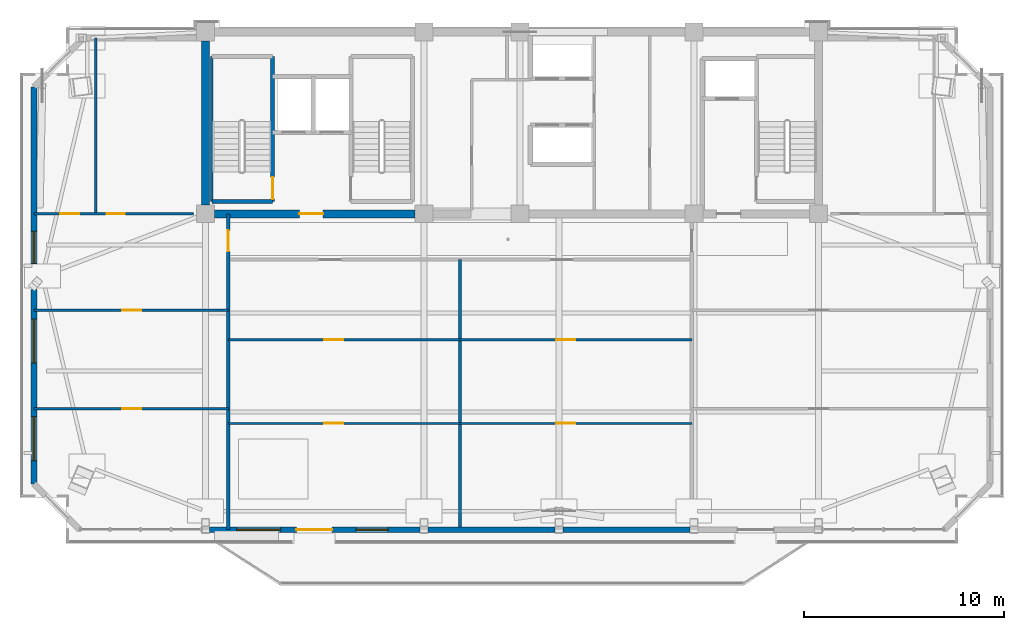
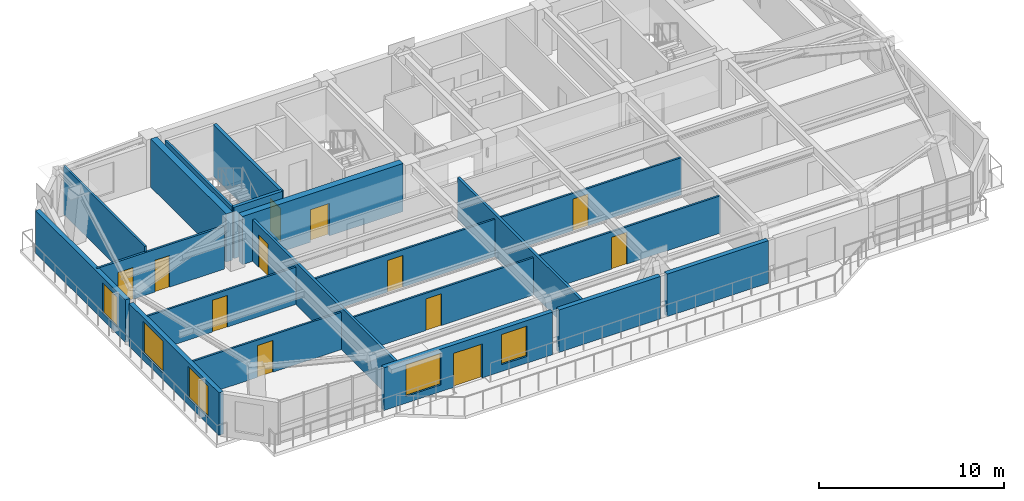
# One storey, part 6 of 13: 20 walls, 12 doors, 5 windows, 17 openings.
"""IFC4 building model written with IfcOpenShell, lengths in metres."""

from ifc_helpers import new_model, si_unit, direction, frame, frame_2d, origin, place, context, subcontext, project, spatial, rectangle, extrude, source, transform, mapped, material, layer, layer_set, type_object, element, fill, save


model = new_model("IFC4")

# Units and contexts
model_context = context("Model", 3, precision=1e-05, world=origin(), true_north=direction((0.0, 1.0)))
body_context = subcontext(model_context, "Body", "Model", "MODEL_VIEW")
ifc_project = project(units=[si_unit("LENGTHUNIT", "METRE"), si_unit("AREAUNIT", "SQUARE_METRE"), si_unit("VOLUMEUNIT", "CUBIC_METRE"), si_unit("PLANEANGLEUNIT", "RADIAN"), si_unit("MASSUNIT", "GRAM", prefix="KILO")], contexts=[model_context])

# Site, building, storey
site_placement = place(None, origin())
site = spatial("IfcSite", under=ifc_project, at=site_placement, CompositionType="ELEMENT")
building_placement = place(site_placement, origin())
building = spatial("IfcBuilding", under=site, at=building_placement, Name="Giltprow Tower", CompositionType="ELEMENT")
storey_placement = place(building_placement, frame((0.0, 0.0, 332.300048828125)))
storey = spatial("IfcBuildingStorey", under=building, at=storey_placement, Name="L86", CompositionType="ELEMENT", Elevation=332.300048828125)

# Wall, openings, windows, door
ifc_material_1 = material(Name="Precast concrete C40", Category="concrete")
ifc_layer_1 = layer(ifc_material_1, 0.280029296875, Name="Precast concrete C40")
ifc_layer_set_1 = layer_set([ifc_layer_1], Name="Precast concrete C40")
wall_type_1 = type_object("IfcWallType", Name="EW-TOW-BRONZE-280", PredefinedType="SOLIDWALL", material=ifc_layer_set_1)
wall_1_placement = place(storey_placement, frame((20.050048828125, 21.635986328125, 0.0), z_axis=(0.0, 0.0, 1.0), x_axis=(1.0, 0.0, 0.0)))
wall_1 = element("IfcWall", 1, at=wall_1_placement, inside=storey, type_object=wall_type_1, Name="L86 South Expressed Frame Wall 2", PredefinedType="SOLIDWALL", context=body_context, shape_type="SweptSolid", body=[
    extrude(rectangle(XDim=10.550048828125, YDim=0.280029296875, at=frame_2d((5.27490234375, 0.0))), origin(), (0.0, 0.0, 1.0), 2.81494140625),
])
opening_1_placement = place(wall_1_placement, frame((4.35009765625, 0.0, 0.0)))
opening_1 = element("IfcOpeningElement", 2, at=opening_1_placement, cuts=wall_1, Name="Opening ED25", PredefinedType="OPENING", context=body_context, shape_type="SweptSolid", body=[
    extrude(rectangle(XDim=1.800048828125, YDim=2.25, at=frame_2d((0.89990234375, 1.125))), frame((0.0, 0.14990234375, 0.0), z_axis=(0.0, -1.0, 0.0), x_axis=(1.0, 0.0, 0.0)), (0.0, 0.0, 1.0), 0.300048828125),
])
opening_2_placement = place(wall_1_placement, frame((1.3701171875, 0.0, 0.449951171875)))
opening_2 = element("IfcOpeningElement", 3, at=opening_2_placement, cuts=wall_1, Name="Opening WN27", PredefinedType="OPENING", context=body_context, shape_type="SweptSolid", body=[
    extrude(rectangle(XDim=2.199951171875, YDim=2.10009765625, at=frame_2d((1.10009765625, 1.050048828125))), frame((0.0, 0.14990234375, 0.0), z_axis=(0.0, -1.0, 0.0), x_axis=(1.0, 0.0, 0.0)), (0.0, 0.0, 1.0), 0.300048828125),
])
opening_3_placement = place(wall_1_placement, frame((7.35009765625, 0.0, 0.449951171875)))
opening_3 = element("IfcOpeningElement", 4, at=opening_3_placement, cuts=wall_1, Name="Opening WN17", PredefinedType="OPENING", context=body_context, shape_type="SweptSolid", body=[
    extrude(rectangle(XDim=1.60009765625, YDim=2.0, at=frame_2d((0.800048828125, 1.0))), frame((0.0, 0.14990234375, 0.0), z_axis=(0.0, -1.0, 0.0), x_axis=(1.0, 0.0, 0.0)), (0.0, 0.0, 1.0), 0.300048828125),
])
ifc_material_2 = material(Name="Insulated glass", Category="glass")
window_type_1 = type_object("IfcWindowType", Name="WN-COR-1600x2000", PartitioningType="SINGLE_PANEL", PredefinedType="WINDOW", material=ifc_material_2)
shared_shape_1 = source(origin(), body_context, "Body", "SweptSolid", [
    extrude(rectangle(XDim=1.60009765625, YDim=2.0, at=frame_2d((0.800048828125, 1.0))), frame((0.0, 0.030029296875, 0.0), z_axis=(0.0, -1.0, 0.0), x_axis=(1.0, 0.0, 0.0)), (0.0, 0.0, 1.0), 0.06005859375),
])
window_1_placement = place(opening_3_placement, origin())
window_1 = element("IfcWindow", 5, at=window_1_placement, inside=storey, type_object=window_type_1, Name="L86 South Window 2B", OverallHeight=2.0, OverallWidth=1.60009765625, PartitioningType="SINGLE_PANEL", PredefinedType="WINDOW", context=body_context, shape_type="MappedRepresentation", body=[
    mapped(shared_shape_1, transform((0.0, 0.0, 0.0), x_axis=(1.0, 0.0, 0.0), y_axis=(0.0, 1.0, 0.0), z_axis=(0.0, 0.0, 1.0), scale=1.0)),
])
fill(opening_3, window_1)
ifc_material_3 = material(Name="Anodized bronze and glass", Category="glass")
door_type_1 = type_object("IfcDoorType", Name="DR-BALC-SLIDE-1800", OperationType="SLIDING_TO_LEFT", PredefinedType="DOOR", material=ifc_material_3)
shared_shape_2 = source(origin(), body_context, "Body", "SweptSolid", [
    extrude(rectangle(XDim=1.800048828125, YDim=2.25, at=frame_2d((0.89990234375, 1.125))), frame((0.0, 0.02490234375, 0.0), z_axis=(0.0, -1.0, 0.0), x_axis=(1.0, 0.0, 0.0)), (0.0, 0.0, 1.0), 0.050048828125),
])
door_1_placement = place(opening_1_placement, origin())
door_1 = element("IfcDoor", 6, at=door_1_placement, inside=storey, type_object=door_type_1, Name="L86 Waterfront Balcony Sliding Door 1", OperationType="SLIDING_TO_LEFT", OverallHeight=2.25, OverallWidth=1.800048828125, PredefinedType="DOOR", context=body_context, shape_type="MappedRepresentation", body=[
    mapped(shared_shape_2, transform((0.0, 0.0, 0.0), x_axis=(1.0, 0.0, 0.0), y_axis=(0.0, 1.0, 0.0), z_axis=(0.0, 0.0, 1.0), scale=1.0)),
])
fill(opening_1, door_1)
window_type_2 = type_object("IfcWindowType", Name="WN-RES-2200x2100", PartitioningType="TRIPLE_PANEL_VERTICAL", PredefinedType="WINDOW", material=ifc_material_2)
shared_shape_3 = source(origin(), body_context, "Body", "SweptSolid", [
    extrude(rectangle(XDim=2.199951171875, YDim=2.10009765625, at=frame_2d((1.10009765625, 1.050048828125))), frame((0.0, 0.030029296875, 0.0), z_axis=(0.0, -1.0, 0.0), x_axis=(1.0, 0.0, 0.0)), (0.0, 0.0, 1.0), 0.06005859375),
])
window_2_placement = place(opening_2_placement, origin())
window_2 = element("IfcWindow", 7, at=window_2_placement, inside=storey, type_object=window_type_2, Name="L86 South Window 2A", OverallHeight=2.10009765625, OverallWidth=2.199951171875, PartitioningType="SINGLE_PANEL", PredefinedType="WINDOW", context=body_context, shape_type="MappedRepresentation", body=[
    mapped(shared_shape_3, transform((0.0, 0.0, 0.0), x_axis=(1.0, 0.0, 0.0), y_axis=(0.0, 1.0, 0.0), z_axis=(0.0, 0.0, 1.0), scale=1.0)),
])
fill(opening_2, window_2)

# Walls
for number, where, z_axis, x_axis, name in (
    (8, (31.0, 21.635986328125, 0.0), (0.0, 0.0, 1.0), (1.0, 0.0, 0.0), "L86 South Expressed Frame Wall 3"),
    (9, (37.75, 21.635986328125, 0.0), (0.0, 0.0, 1.0), (1.0, 0.0, 0.0), "L86 South Expressed Frame Wall 4"),
):
    element("IfcWall", number, at=place(storey_placement, frame(where, z_axis=z_axis, x_axis=x_axis)), inside=storey, type_object=wall_type_1, Name=name, PredefinedType="SOLIDWALL", context=body_context, shape_type="SweptSolid", body=[
        extrude(rectangle(XDim=6.35009765625, YDim=0.280029296875, at=frame_2d((3.175048828125, 0.0))), origin(), (0.0, 0.0, 1.0), 2.81494140625),
    ])

# Wall, openings, windows
wall_2_placement = place(storey_placement, frame((11.27001953125, 23.927978515625, 0.0), z_axis=(0.0, 0.0, 1.0), x_axis=(0.0, 1.0, 0.0)))
wall_2 = element("IfcWall", 10, at=wall_2_placement, inside=storey, type_object=wall_type_1, Name="L86 W Wing Masonry Wall 1", PredefinedType="SOLIDWALL", context=body_context, shape_type="SweptSolid", body=[
    extrude(rectangle(XDim=9.739990234375, YDim=0.280029296875, at=frame_2d((4.8701171875, 0.0))), origin(), (0.0, 0.0, 1.0), 2.81494140625),
])
opening_4_placement = place(wall_2_placement, frame((1.1640625, 0.0, 0.449951171875)))
opening_4 = element("IfcOpeningElement", 11, at=opening_4_placement, cuts=wall_2, Name="Opening WN27", PredefinedType="OPENING", context=body_context, shape_type="SweptSolid", body=[
    extrude(rectangle(XDim=2.199951171875, YDim=2.10009765625, at=frame_2d((1.10009765625, 1.050048828125))), frame((0.0, 0.14990234375, 0.0), z_axis=(0.0, -1.0, 0.0), x_axis=(1.0, 0.0, 0.0)), (0.0, 0.0, 1.0), 0.300048828125),
])
opening_5_placement = place(wall_2_placement, frame((6.0419921875, 0.0, 0.449951171875)))
opening_5 = element("IfcOpeningElement", 12, at=opening_5_placement, cuts=wall_2, Name="Opening WN27", PredefinedType="OPENING", context=body_context, shape_type="SweptSolid", body=[
    extrude(rectangle(XDim=2.199951171875, YDim=2.10009765625, at=frame_2d((1.10009765625, 1.050048828125))), frame((0.0, 0.14990234375, 0.0), z_axis=(0.0, -1.0, 0.0), x_axis=(1.0, 0.0, 0.0)), (0.0, 0.0, 1.0), 0.300048828125),
])
window_3_placement = place(opening_4_placement, origin())
window_3 = element("IfcWindow", 13, at=window_3_placement, inside=storey, type_object=window_type_2, Name="L86 W Wing Window 1-1A", OverallHeight=2.10009765625, OverallWidth=2.199951171875, PartitioningType="SINGLE_PANEL", PredefinedType="WINDOW", context=body_context, shape_type="MappedRepresentation", body=[
    mapped(shared_shape_3, transform((0.0, 0.0, 0.0), x_axis=(1.0, 0.0, 0.0), y_axis=(0.0, 1.0, 0.0), z_axis=(0.0, 0.0, 1.0), scale=1.0)),
])
fill(opening_4, window_3)
window_4_placement = place(opening_5_placement, origin())
window_4 = element("IfcWindow", 14, at=window_4_placement, inside=storey, type_object=window_type_2, Name="L86 W Wing Window 1-1B", OverallHeight=2.10009765625, OverallWidth=2.199951171875, PartitioningType="SINGLE_PANEL", PredefinedType="WINDOW", context=body_context, shape_type="MappedRepresentation", body=[
    mapped(shared_shape_3, transform((0.0, 0.0, 0.0), x_axis=(1.0, 0.0, 0.0), y_axis=(0.0, 1.0, 0.0), z_axis=(0.0, 0.0, 1.0), scale=1.0)),
])
fill(opening_5, window_4)

# Wall, opening, window
wall_3_placement = place(storey_placement, frame((11.27001953125, 34.068115234375, 0.0), z_axis=(0.0, 0.0, 1.0), x_axis=(0.0, 1.0, 0.0)))
wall_3 = element("IfcWall", 15, at=wall_3_placement, inside=storey, type_object=wall_type_1, Name="L86 W Wing Masonry Wall 2", PredefinedType="SOLIDWALL", context=body_context, shape_type="SweptSolid", body=[
    extrude(rectangle(XDim=9.739990234375, YDim=0.280029296875, at=frame_2d((4.8701171875, 0.0))), origin(), (0.0, 0.0, 1.0), 2.81494140625),
])
opening_6_placement = place(wall_3_placement, frame((0.89599609375, 0.0, 0.449951171875)))
opening_6 = element("IfcOpeningElement", 16, at=opening_6_placement, cuts=wall_3, Name="Opening WN17", PredefinedType="OPENING", context=body_context, shape_type="SweptSolid", body=[
    extrude(rectangle(XDim=1.60009765625, YDim=2.0, at=frame_2d((0.800048828125, 1.0))), frame((0.0, 0.14990234375, 0.0), z_axis=(0.0, -1.0, 0.0), x_axis=(1.0, 0.0, 0.0)), (0.0, 0.0, 1.0), 0.300048828125),
])
window_5_placement = place(opening_6_placement, origin())
window_5 = element("IfcWindow", 17, at=window_5_placement, inside=storey, type_object=window_type_1, Name="L86 W Wing Window 2-1", OverallHeight=2.0, OverallWidth=1.60009765625, PartitioningType="SINGLE_PANEL", PredefinedType="WINDOW", context=body_context, shape_type="MappedRepresentation", body=[
    mapped(shared_shape_1, transform((0.0, 0.0, 0.0), x_axis=(1.0, 0.0, 0.0), y_axis=(0.0, 1.0, 0.0), z_axis=(0.0, 0.0, 1.0), scale=1.0)),
])
fill(opening_6, window_5)

# Wall, opening, door
ifc_material_4 = material(Name="Gypsum stud partition", Category="gypsum")
ifc_layer_2 = layer(ifc_material_4, 0.159912109375, Name="Gypsum stud partition")
ifc_layer_set_2 = layer_set([ifc_layer_2], Name="Gypsum stud partition")
wall_type_2 = type_object("IfcWallType", Name="IW-DEMISE-160", PredefinedType="PARTITIONING", material=ifc_layer_set_2)
wall_4_placement = place(storey_placement, frame((21.0, 21.635986328125, 0.0), z_axis=(0.0, 0.0, 1.0), x_axis=(0.0, 1.0, 0.0)))
wall_4 = element("IfcWall", 18, at=wall_4_placement, inside=storey, type_object=wall_type_2, Name="L86 Apartment Party Wall 1", PredefinedType="PARTITIONING", context=body_context, shape_type="SweptSolid", body=[
    extrude(rectangle(XDim=15.81396484375, YDim=0.159912109375, at=frame_2d((7.906982421875, 0.0))), origin(), (0.0, 0.0, 1.0), 2.77001953125),
])
opening_7_placement = place(wall_4_placement, frame((13.93408203125, 0.0, 0.0)))
opening_7 = element("IfcOpeningElement", 19, at=opening_7_placement, cuts=wall_4, Name="Opening ID31", PredefinedType="OPENING", context=body_context, shape_type="SweptSolid", body=[
    extrude(rectangle(XDim=1.050048828125, YDim=2.14990234375, at=frame_2d((0.52490234375, 1.074951171875))), frame((0.0, 0.08984375, 0.0), z_axis=(0.0, -1.0, 0.0), x_axis=(1.0, 0.0, 0.0)), (0.0, 0.0, 1.0), 0.179931640625),
])
ifc_material_5 = material(Name="Engineered timber", Category="wood")
door_type_2 = type_object("IfcDoorType", Name="DR-SUITE-1050", OperationType="SINGLE_SWING_LEFT", PredefinedType="DOOR", material=ifc_material_5)
shared_shape_4 = source(origin(), body_context, "Body", "SweptSolid", [
    extrude(rectangle(XDim=1.050048828125, YDim=2.14990234375, at=frame_2d((0.52490234375, 1.074951171875))), frame((0.0, 0.02490234375, 0.0), z_axis=(0.0, -1.0, 0.0), x_axis=(1.0, 0.0, 0.0)), (0.0, 0.0, 1.0), 0.050048828125),
])
door_2_placement = place(opening_7_placement, origin())
door_2 = element("IfcDoor", 20, at=door_2_placement, inside=storey, type_object=door_type_2, Name="L86 Sky Concierge Reception 1 Corridor End Door", OperationType="SINGLE_SWING_LEFT", OverallHeight=2.14990234375, OverallWidth=1.050048828125, PredefinedType="DOOR", context=body_context, shape_type="MappedRepresentation", body=[
    mapped(shared_shape_4, transform((0.0, 0.0, 0.0), x_axis=(1.0, 0.0, 0.0), y_axis=(0.0, 1.0, 0.0), z_axis=(0.0, 0.0, 1.0), scale=1.0)),
])
fill(opening_7, door_2)

# Wall
wall_5_placement = place(storey_placement, frame((32.60009765625, 21.635986328125, 0.0), z_axis=(0.0, 0.0, 1.0), x_axis=(0.0, 1.0, 0.0)))
element("IfcWall", 21, at=wall_5_placement, inside=storey, type_object=wall_type_2, Name="L86 Apartment Party Wall 2", PredefinedType="PARTITIONING", context=body_context, shape_type="SweptSolid", body=[
    extrude(rectangle(XDim=13.513916015625, YDim=0.159912109375, at=frame_2d((6.7568359375, 0.0))), origin(), (0.0, 0.0, 1.0), 2.77001953125),
])

# Wall, opening, door
ifc_layer_3 = layer(ifc_material_4, 0.1201171875, Name="Gypsum stud partition")
ifc_layer_set_3 = layer_set([ifc_layer_3], Name="Gypsum stud partition")
wall_type_3 = type_object("IfcWallType", Name="IW-ROOM-120", PredefinedType="PARTITIONING", material=ifc_layer_set_3)
wall_6_placement = place(storey_placement, frame((11.27001953125, 27.69189453125, 0.0), z_axis=(0.0, 0.0, 1.0), x_axis=(1.0, 0.0, 0.0)))
wall_6 = element("IfcWall", 22, at=wall_6_placement, inside=storey, type_object=wall_type_3, Name="L86 Special Split 1", PredefinedType="PARTITIONING", context=body_context, shape_type="SweptSolid", body=[
    extrude(rectangle(XDim=9.72998046875, YDim=0.1201171875, at=frame_2d((4.864990234375, 0.0))), origin(), (0.0, 0.0, 1.0), 2.469970703125),
])
opening_8_placement = place(wall_6_placement, frame((4.427001953125, 0.0, 0.0)))
opening_8 = element("IfcOpeningElement", 23, at=opening_8_placement, cuts=wall_6, Name="Opening ID11", PredefinedType="OPENING", context=body_context, shape_type="SweptSolid", body=[
    extrude(rectangle(XDim=0.949951171875, YDim=2.10009765625, at=frame_2d((0.47509765625, 1.050048828125))), frame((0.0, 0.070068359375, 0.0), z_axis=(0.0, -1.0, 0.0), x_axis=(1.0, 0.0, 0.0)), (0.0, 0.0, 1.0), 0.14013671875),
])
door_type_3 = type_object("IfcDoorType", Name="DR-ROOM-950", OperationType="SINGLE_SWING_RIGHT", PredefinedType="DOOR", material=ifc_material_5)
shared_shape_5 = source(origin(), body_context, "Body", "SweptSolid", [
    extrude(rectangle(XDim=0.949951171875, YDim=2.10009765625, at=frame_2d((0.47509765625, 1.050048828125))), frame((0.0, 0.02490234375, 0.0), z_axis=(0.0, -1.0, 0.0), x_axis=(1.0, 0.0, 0.0)), (0.0, 0.0, 1.0), 0.050048828125),
])
door_3_placement = place(opening_8_placement, origin())
door_3 = element("IfcDoor", 24, at=door_3_placement, inside=storey, type_object=door_type_3, Name="L86 Sky Concierge Reception 1 South Door", OperationType="SINGLE_SWING_RIGHT", OverallHeight=2.10009765625, OverallWidth=0.949951171875, PredefinedType="DOOR", context=body_context, shape_type="MappedRepresentation", body=[
    mapped(shared_shape_5, transform((0.0, 0.0, 0.0), x_axis=(1.0, 0.0, 0.0), y_axis=(0.0, 1.0, 0.0), z_axis=(0.0, 0.0, 1.0), scale=1.0)),
])
fill(opening_8, door_3)

wall_7_placement = place(storey_placement, frame((11.27001953125, 32.615966796875, 0.0), z_axis=(0.0, 0.0, 1.0), x_axis=(1.0, 0.0, 0.0)))
wall_7 = element("IfcWall", 25, at=wall_7_placement, inside=storey, type_object=wall_type_3, Name="L86 Special Split 2", PredefinedType="PARTITIONING", context=body_context, shape_type="SweptSolid", body=[
    extrude(rectangle(XDim=9.72998046875, YDim=0.1201171875, at=frame_2d((4.864990234375, 0.0))), origin(), (0.0, 0.0, 1.0), 2.469970703125),
])
opening_9_placement = place(wall_7_placement, frame((4.427001953125, 0.0, 0.0)))
opening_9 = element("IfcOpeningElement", 26, at=opening_9_placement, cuts=wall_7, Name="Opening ID11", PredefinedType="OPENING", context=body_context, shape_type="SweptSolid", body=[
    extrude(rectangle(XDim=0.949951171875, YDim=2.10009765625, at=frame_2d((0.47509765625, 1.050048828125))), frame((0.0, 0.070068359375, 0.0), z_axis=(0.0, -1.0, 0.0), x_axis=(1.0, 0.0, 0.0)), (0.0, 0.0, 1.0), 0.14013671875),
])
door_4_placement = place(opening_9_placement, origin())
door_4 = element("IfcDoor", 27, at=door_4_placement, inside=storey, type_object=door_type_3, Name="L86 Sky Concierge Reception 1 Mid Door", OperationType="SINGLE_SWING_LEFT", OverallHeight=2.10009765625, OverallWidth=0.949951171875, PredefinedType="DOOR", context=body_context, shape_type="MappedRepresentation", body=[
    mapped(shared_shape_5, transform((0.0, 0.0, 0.0), x_axis=(1.0, 0.0, 0.0), y_axis=(0.0, 1.0, 0.0), z_axis=(0.0, 0.0, 1.0), scale=1.0)),
])
fill(opening_9, door_4)

wall_8_placement = place(storey_placement, frame((21.0, 26.950927734375, 0.0), z_axis=(0.0, 0.0, 1.0), x_axis=(1.0, 0.0, 0.0)))
wall_8 = element("IfcWall", 28, at=wall_8_placement, inside=storey, type_object=wall_type_3, Name="L86 Special Split 1", PredefinedType="PARTITIONING", context=body_context, shape_type="SweptSolid", body=[
    extrude(rectangle(XDim=11.60009765625, YDim=0.1201171875, at=frame_2d((5.800048828125, 0.0))), origin(), (0.0, 0.0, 1.0), 2.469970703125),
])
opening_10_placement = place(wall_8_placement, frame((4.805908203125, 0.0, 0.0)))
opening_10 = element("IfcOpeningElement", 29, at=opening_10_placement, cuts=wall_8, Name="Opening ID11", PredefinedType="OPENING", context=body_context, shape_type="SweptSolid", body=[
    extrude(rectangle(XDim=0.949951171875, YDim=2.10009765625, at=frame_2d((0.47509765625, 1.050048828125))), frame((0.0, 0.070068359375, 0.0), z_axis=(0.0, -1.0, 0.0), x_axis=(1.0, 0.0, 0.0)), (0.0, 0.0, 1.0), 0.14013671875),
])
door_5_placement = place(opening_10_placement, origin())
door_5 = element("IfcDoor", 30, at=door_5_placement, inside=storey, type_object=door_type_3, Name="L86 Residents Sky Club Lounge South Door", OperationType="SINGLE_SWING_LEFT", OverallHeight=2.10009765625, OverallWidth=0.949951171875, PredefinedType="DOOR", context=body_context, shape_type="MappedRepresentation", body=[
    mapped(shared_shape_5, transform((0.0, 0.0, 0.0), x_axis=(1.0, 0.0, 0.0), y_axis=(0.0, 1.0, 0.0), z_axis=(0.0, 0.0, 1.0), scale=1.0)),
])
fill(opening_10, door_5)

wall_9_placement = place(storey_placement, frame((21.0, 31.133056640625, 0.0), z_axis=(0.0, 0.0, 1.0), x_axis=(1.0, 0.0, 0.0)))
wall_9 = element("IfcWall", 31, at=wall_9_placement, inside=storey, type_object=wall_type_3, Name="L86 Special Split 2", PredefinedType="PARTITIONING", context=body_context, shape_type="SweptSolid", body=[
    extrude(rectangle(XDim=11.60009765625, YDim=0.1201171875, at=frame_2d((5.800048828125, 0.0))), origin(), (0.0, 0.0, 1.0), 2.469970703125),
])
opening_11_placement = place(wall_9_placement, frame((4.805908203125, 0.0, 0.0)))
opening_11 = element("IfcOpeningElement", 32, at=opening_11_placement, cuts=wall_9, Name="Opening ID11", PredefinedType="OPENING", context=body_context, shape_type="SweptSolid", body=[
    extrude(rectangle(XDim=0.949951171875, YDim=2.10009765625, at=frame_2d((0.47509765625, 1.050048828125))), frame((0.0, 0.070068359375, 0.0), z_axis=(0.0, -1.0, 0.0), x_axis=(1.0, 0.0, 0.0)), (0.0, 0.0, 1.0), 0.14013671875),
])
door_6_placement = place(opening_11_placement, origin())
door_6 = element("IfcDoor", 33, at=door_6_placement, inside=storey, type_object=door_type_3, Name="L86 Residents Sky Club Lounge Mid Door", OperationType="SINGLE_SWING_RIGHT", OverallHeight=2.10009765625, OverallWidth=0.949951171875, PredefinedType="DOOR", context=body_context, shape_type="MappedRepresentation", body=[
    mapped(shared_shape_5, transform((0.0, 0.0, 0.0), x_axis=(1.0, 0.0, 0.0), y_axis=(0.0, 1.0, 0.0), z_axis=(0.0, 0.0, 1.0), scale=1.0)),
])
fill(opening_11, door_6)

wall_10_placement = place(storey_placement, frame((32.60009765625, 26.950927734375, 0.0), z_axis=(0.0, 0.0, 1.0), x_axis=(1.0, 0.0, 0.0)))
wall_10 = element("IfcWall", 34, at=wall_10_placement, inside=storey, type_object=wall_type_3, Name="L86 Special Split 1", PredefinedType="PARTITIONING", context=body_context, shape_type="SweptSolid", body=[
    extrude(rectangle(XDim=11.599853515625, YDim=0.1201171875, at=frame_2d((5.7998046875, 0.0))), origin(), (0.0, 0.0, 1.0), 2.469970703125),
])
opening_12_placement = place(wall_10_placement, frame((4.805908203125, 0.0, 0.0)))
opening_12 = element("IfcOpeningElement", 35, at=opening_12_placement, cuts=wall_10, Name="Opening ID11", PredefinedType="OPENING", context=body_context, shape_type="SweptSolid", body=[
    extrude(rectangle(XDim=0.949951171875, YDim=2.10009765625, at=frame_2d((0.47509765625, 1.050048828125))), frame((0.0, 0.070068359375, 0.0), z_axis=(0.0, -1.0, 0.0), x_axis=(1.0, 0.0, 0.0)), (0.0, 0.0, 1.0), 0.14013671875),
])
door_7_placement = place(opening_12_placement, origin())
door_7 = element("IfcDoor", 36, at=door_7_placement, inside=storey, type_object=door_type_3, Name="L86 Residents Sky Club Lounge South Door", OperationType="SINGLE_SWING_RIGHT", OverallHeight=2.10009765625, OverallWidth=0.949951171875, PredefinedType="DOOR", context=body_context, shape_type="MappedRepresentation", body=[
    mapped(shared_shape_5, transform((0.0, 0.0, 0.0), x_axis=(1.0, 0.0, 0.0), y_axis=(0.0, 1.0, 0.0), z_axis=(0.0, 0.0, 1.0), scale=1.0)),
])
fill(opening_12, door_7)

wall_11_placement = place(storey_placement, frame((32.60009765625, 31.133056640625, 0.0), z_axis=(0.0, 0.0, 1.0), x_axis=(1.0, 0.0, 0.0)))
wall_11 = element("IfcWall", 37, at=wall_11_placement, inside=storey, type_object=wall_type_3, Name="L86 Special Split 2", PredefinedType="PARTITIONING", context=body_context, shape_type="SweptSolid", body=[
    extrude(rectangle(XDim=11.599853515625, YDim=0.1201171875, at=frame_2d((5.7998046875, 0.0))), origin(), (0.0, 0.0, 1.0), 2.469970703125),
])
opening_13_placement = place(wall_11_placement, frame((4.805908203125, 0.0, 0.0)))
opening_13 = element("IfcOpeningElement", 38, at=opening_13_placement, cuts=wall_11, Name="Opening ID11", PredefinedType="OPENING", context=body_context, shape_type="SweptSolid", body=[
    extrude(rectangle(XDim=0.949951171875, YDim=2.10009765625, at=frame_2d((0.47509765625, 1.050048828125))), frame((0.0, 0.070068359375, 0.0), z_axis=(0.0, -1.0, 0.0), x_axis=(1.0, 0.0, 0.0)), (0.0, 0.0, 1.0), 0.14013671875),
])
door_8_placement = place(opening_13_placement, origin())
door_8 = element("IfcDoor", 39, at=door_8_placement, inside=storey, type_object=door_type_3, Name="L86 Residents Sky Club Lounge Mid Door", OperationType="SINGLE_SWING_LEFT", OverallHeight=2.10009765625, OverallWidth=0.949951171875, PredefinedType="DOOR", context=body_context, shape_type="MappedRepresentation", body=[
    mapped(shared_shape_5, transform((0.0, 0.0, 0.0), x_axis=(1.0, 0.0, 0.0), y_axis=(0.0, 1.0, 0.0), z_axis=(0.0, 0.0, 1.0), scale=1.0)),
])
fill(opening_13, door_8)

# Wall
ifc_material_6 = material(Name="Concrete C45", Category="concrete")
ifc_layer_4 = layer(ifc_material_6, 0.139892578125, Name="Concrete C45")
ifc_layer_set_4 = layer_set([ifc_layer_4], Name="Concrete C45")
wall_type_4 = type_object("IfcWallType", Name="IW-STAIR-140", PredefinedType="SOLIDWALL", material=ifc_layer_set_4)
wall_12_placement = place(storey_placement, frame((20.169921875, 38.070068359375, 0.0), z_axis=(0.0, 0.0, 1.0), x_axis=(0.0, 1.0, 0.0)))
element("IfcWall", 40, at=wall_12_placement, inside=storey, type_object=wall_type_4, Name="L86 Stair ST-1 West Bearing Wall", PredefinedType="SOLIDWALL", context=body_context, shape_type="SweptSolid", body=[
    extrude(rectangle(XDim=7.25, YDim=0.139892578125, at=frame_2d((3.625, 0.0))), origin(), (0.0, 0.0, 1.0), 3.39990234375),
])

# Wall, opening, door
ifc_material_7 = material(Name="Concrete C40", Category="concrete")
ifc_layer_5 = layer(ifc_material_7, 0.199951171875, Name="Concrete C40")
ifc_layer_set_5 = layer_set([ifc_layer_5], Name="Concrete C40")
wall_type_5 = type_object("IfcWallType", Name="IW-STAIR-200", PredefinedType="SOLIDWALL", material=ifc_layer_set_5)
wall_13_placement = place(storey_placement, frame((23.219970703125, 38.070068359375, 0.0), z_axis=(0.0, 0.0, 1.0), x_axis=(0.0, 1.0, 0.0)))
wall_13 = element("IfcWall", 41, at=wall_13_placement, inside=storey, type_object=wall_type_5, Name="L86 Stair ST-1 East Bearing Wall", PredefinedType="SOLIDWALL", context=body_context, shape_type="SweptSolid", body=[
    extrude(rectangle(XDim=7.25, YDim=0.199951171875, at=frame_2d((3.625, 0.0))), origin(), (0.0, 0.0, 1.0), 3.39990234375),
])
opening_14_placement = place(wall_13_placement, frame((0.110107421875, 0.0, 0.0)))
opening_14 = element("IfcOpeningElement", 42, at=opening_14_placement, cuts=wall_13, Name="Opening ID33", PredefinedType="OPENING", context=body_context, shape_type="SweptSolid", body=[
    extrude(rectangle(XDim=1.10009765625, YDim=2.14990234375, at=frame_2d((0.550048828125, 1.074951171875))), frame((0.0, 0.10986328125, 0.0), z_axis=(0.0, -1.0, 0.0), x_axis=(1.0, 0.0, 0.0)), (0.0, 0.0, 1.0), 0.219970703125),
])
ifc_material_8 = material(Name="Steel fire leaf", Category="steel")
door_type_4 = type_object("IfcDoorType", Name="DR-STAIR-1100", OperationType="SINGLE_SWING_LEFT", PredefinedType="DOOR", material=ifc_material_8)
shared_shape_6 = source(origin(), body_context, "Body", "SweptSolid", [
    extrude(rectangle(XDim=1.10009765625, YDim=2.14990234375, at=frame_2d((0.550048828125, 1.074951171875))), frame((0.0, 0.02490234375, 0.0), z_axis=(0.0, -1.0, 0.0), x_axis=(1.0, 0.0, 0.0)), (0.0, 0.0, 1.0), 0.050048828125),
])
door_9_placement = place(opening_14_placement, origin())
door_9 = element("IfcDoor", 43, at=door_9_placement, inside=storey, type_object=door_type_4, Name="L86 Stair ST-1 Fire Door", OperationType="SINGLE_SWING_RIGHT", OverallHeight=2.14990234375, OverallWidth=1.10009765625, PredefinedType="DOOR", context=body_context, shape_type="MappedRepresentation", body=[
    mapped(shared_shape_6, transform((0.0, 0.0, 0.0), x_axis=(1.0, 0.0, 0.0), y_axis=(0.0, 1.0, 0.0), z_axis=(0.0, 0.0, 1.0), scale=1.0)),
])
fill(opening_14, door_9)

# Wall
wall_14_placement = place(storey_placement, frame((20.169921875, 38.070068359375, 0.0), z_axis=(0.0, 0.0, 1.0), x_axis=(1.0, 0.0, 0.0)))
element("IfcWall", 44, at=wall_14_placement, inside=storey, type_object=wall_type_5, Name="L86 Stair ST-1 South Bearing Wall", PredefinedType="SOLIDWALL", context=body_context, shape_type="SweptSolid", body=[
    extrude(rectangle(XDim=3.050048828125, YDim=0.199951171875, at=frame_2d((1.52490234375, 0.0))), origin(), (0.0, 0.0, 1.0), 3.39990234375),
])

# Wall, openings, doors
ifc_material_9 = material(Name="Concrete C30", Category="concrete")
ifc_layer_6 = layer(ifc_material_9, 0.1298828125, Name="Concrete C30")
ifc_layer_set_6 = layer_set([ifc_layer_6], Name="Concrete C30")
wall_type_6 = type_object("IfcWallType", Name="IW-WET-130", PredefinedType="PARTITIONING", material=ifc_layer_set_6)
wall_15_placement = place(storey_placement, frame((11.27001953125, 37.449951171875, 0.0), z_axis=(0.0, 0.0, 1.0), x_axis=(1.0, 0.0, 0.0)))
wall_15 = element("IfcWall", 45, at=wall_15_placement, inside=storey, type_object=wall_type_6, Name="L86 NW Wing South Wall", PredefinedType="PARTITIONING", context=body_context, shape_type="SweptSolid", body=[
    extrude(rectangle(XDim=7.97998046875, YDim=0.1298828125, at=frame_2d((3.989990234375, 0.0))), origin(), (0.0, 0.0, 1.0), 2.820068359375),
])
opening_15_placement = place(wall_15_placement, frame((1.31494140625, 0.0, 0.0)))
opening_15 = element("IfcOpeningElement", 46, at=opening_15_placement, cuts=wall_15, Name="Opening ID11", PredefinedType="OPENING", context=body_context, shape_type="SweptSolid", body=[
    extrude(rectangle(XDim=0.949951171875, YDim=2.10009765625, at=frame_2d((0.47509765625, 1.050048828125))), frame((0.0, 0.074951171875, 0.0), z_axis=(0.0, -1.0, 0.0), x_axis=(1.0, 0.0, 0.0)), (0.0, 0.0, 1.0), 0.14990234375),
])
opening_16_placement = place(wall_15_placement, frame((3.635009765625, 0.0, 0.0)))
opening_16 = element("IfcOpeningElement", 47, at=opening_16_placement, cuts=wall_15, Name="Opening ID15", PredefinedType="OPENING", context=body_context, shape_type="SweptSolid", body=[
    extrude(rectangle(XDim=0.89990234375, YDim=2.10009765625, at=frame_2d((0.449951171875, 1.050048828125))), frame((0.0, 0.074951171875, 0.0), z_axis=(0.0, -1.0, 0.0), x_axis=(1.0, 0.0, 0.0)), (0.0, 0.0, 1.0), 0.14990234375),
])
door_type_5 = type_object("IfcDoorType", Name="DR-WC-900", OperationType="SINGLE_SWING_LEFT", PredefinedType="DOOR", material=ifc_material_5)
shared_shape_7 = source(origin(), body_context, "Body", "SweptSolid", [
    extrude(rectangle(XDim=0.89990234375, YDim=2.10009765625, at=frame_2d((0.449951171875, 1.050048828125))), frame((0.0, 0.02490234375, 0.0), z_axis=(0.0, -1.0, 0.0), x_axis=(1.0, 0.0, 0.0)), (0.0, 0.0, 1.0), 0.050048828125),
])
door_10_placement = place(opening_16_placement, origin())
door_10 = element("IfcDoor", 48, at=door_10_placement, inside=storey, type_object=door_type_5, Name="L86 NW Washroom Door", OperationType="SINGLE_SWING_LEFT", OverallHeight=2.10009765625, OverallWidth=0.89990234375, PredefinedType="DOOR", context=body_context, shape_type="MappedRepresentation", body=[
    mapped(shared_shape_7, transform((0.0, 0.0, 0.0), x_axis=(1.0, 0.0, 0.0), y_axis=(0.0, 1.0, 0.0), z_axis=(0.0, 0.0, 1.0), scale=1.0)),
])
fill(opening_16, door_10)
door_11_placement = place(opening_15_placement, origin())
door_11 = element("IfcDoor", 49, at=door_11_placement, inside=storey, type_object=door_type_3, Name="L86 Residents Study Office West Door", OperationType="SINGLE_SWING_RIGHT", OverallHeight=2.10009765625, OverallWidth=0.949951171875, PredefinedType="DOOR", context=body_context, shape_type="MappedRepresentation", body=[
    mapped(shared_shape_5, transform((0.0, 0.0, 0.0), x_axis=(1.0, 0.0, 0.0), y_axis=(0.0, 1.0, 0.0), z_axis=(0.0, 0.0, 1.0), scale=1.0)),
])
fill(opening_15, door_11)

# Wall
wall_16_placement = place(storey_placement, frame((14.35498046875, 37.449951171875, 0.0), z_axis=(0.0, 0.0, 1.0), x_axis=(0.0, 1.0, 0.0)))
element("IfcWall", 50, at=wall_16_placement, inside=storey, type_object=wall_type_6, Name="L86 NW Wing Divider", PredefinedType="PARTITIONING", context=body_context, shape_type="SweptSolid", body=[
    extrude(rectangle(XDim=8.800048828125, YDim=0.1298828125, at=frame_2d((4.39990234375, 0.0))), origin(), (0.0, 0.0, 1.0), 3.18505859375),
])

# Wall, opening, door
ifc_layer_7 = layer(ifc_material_6, 0.39990234375, Name="Concrete C45")
ifc_layer_set_7 = layer_set([ifc_layer_7], Name="Concrete C45")
wall_type_7 = type_object("IfcWallType", Name="SW-INT-400-C45", PredefinedType="SHEAR", material=ifc_layer_set_7)
wall_17_placement = place(storey_placement, frame((20.300048828125, 37.449951171875, 0.0), z_axis=(0.0, 0.0, 1.0), x_axis=(1.0, 0.0, 0.0)))
wall_17 = element("IfcWall", 51, at=wall_17_placement, inside=storey, type_object=wall_type_7, Name="L86 South Rear Core Shear Wall West", PredefinedType="SHEAR", context=body_context, shape_type="SweptSolid", body=[
    extrude(rectangle(XDim=10.050048828125, YDim=0.39990234375, at=frame_2d((5.02490234375, 0.0))), origin(), (0.0, 0.0, 1.0), 3.18505859375),
])
opening_17_placement = place(wall_17_placement, frame((4.25, 0.0, 0.0)))
opening_17 = element("IfcOpeningElement", 52, at=opening_17_placement, cuts=wall_17, Name="Opening ID19", PredefinedType="OPENING", context=body_context, shape_type="SweptSolid", body=[
    extrude(rectangle(XDim=1.199951171875, YDim=2.14990234375, at=frame_2d((0.60009765625, 1.074951171875))), frame((0.0, 0.2099609375, 0.0), z_axis=(0.0, -1.0, 0.0), x_axis=(1.0, 0.0, 0.0)), (0.0, 0.0, 1.0), 0.419921875),
])
door_type_6 = type_object("IfcDoorType", Name="DR-FFLOBBY-1200", OperationType="SINGLE_SWING_RIGHT", PredefinedType="DOOR", material=ifc_material_8)
shared_shape_8 = source(origin(), body_context, "Body", "SweptSolid", [
    extrude(rectangle(XDim=1.199951171875, YDim=2.14990234375, at=frame_2d((0.60009765625, 1.074951171875))), frame((0.0, 0.02490234375, 0.0), z_axis=(0.0, -1.0, 0.0), x_axis=(1.0, 0.0, 0.0)), (0.0, 0.0, 1.0), 0.050048828125),
])
door_12_placement = place(opening_17_placement, origin())
door_12 = element("IfcDoor", 53, at=door_12_placement, inside=storey, type_object=door_type_6, Name="L86 West Firefighting Lobby Entry Door", OperationType="SINGLE_SWING_LEFT", OverallHeight=2.14990234375, OverallWidth=1.199951171875, PredefinedType="DOOR", context=body_context, shape_type="MappedRepresentation", body=[
    mapped(shared_shape_8, transform((0.0, 0.0, 0.0), x_axis=(1.0, 0.0, 0.0), y_axis=(0.0, 1.0, 0.0), z_axis=(0.0, 0.0, 1.0), scale=1.0)),
])
fill(opening_17, door_12)

# Wall
wall_18_placement = place(storey_placement, frame((19.85009765625, 37.89990234375, 0.0), z_axis=(0.0, 0.0, 1.0), x_axis=(0.0, 1.0, 0.0)))
element("IfcWall", 54, at=wall_18_placement, inside=storey, type_object=wall_type_7, Name="L86 W Rear Core Shear Wall", PredefinedType="SHEAR", context=body_context, shape_type="SweptSolid", body=[
    extrude(rectangle(XDim=8.2001953125, YDim=0.39990234375, at=frame_2d((4.10009765625, 0.0))), origin(), (0.0, 0.0, 1.0), 3.18505859375),
])

save(model, "model.ifc")
